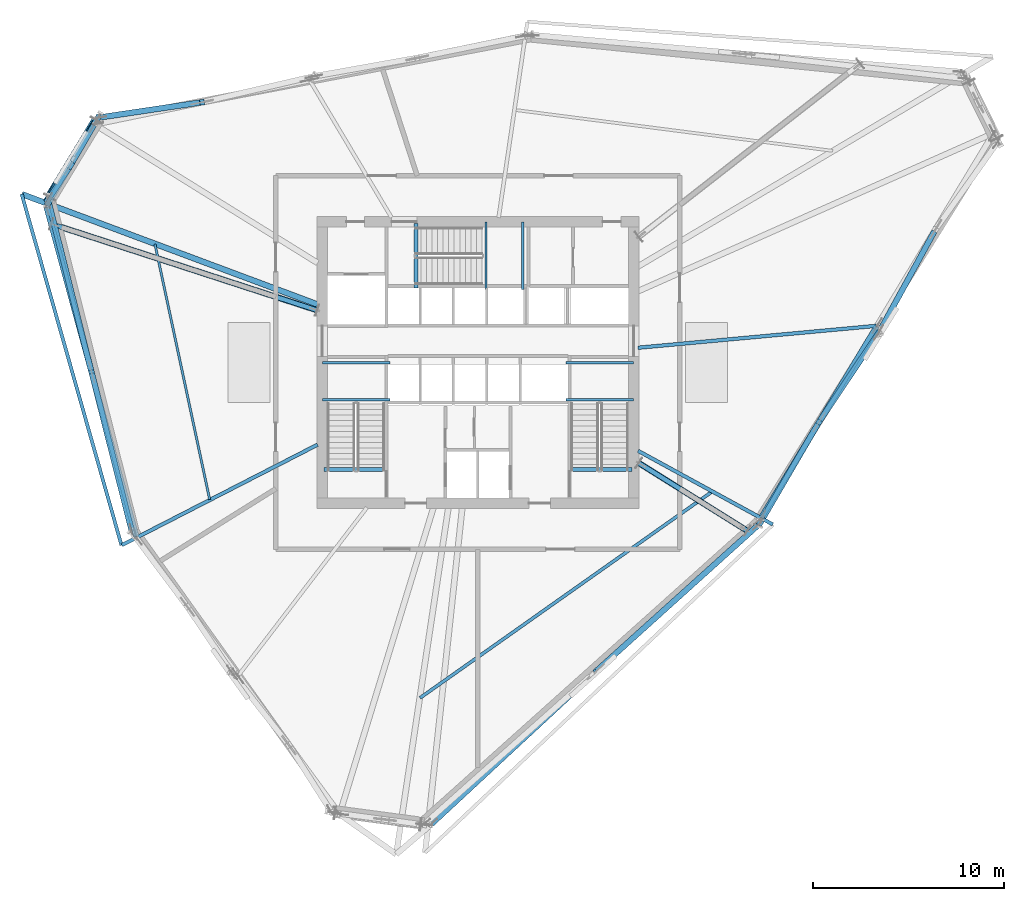
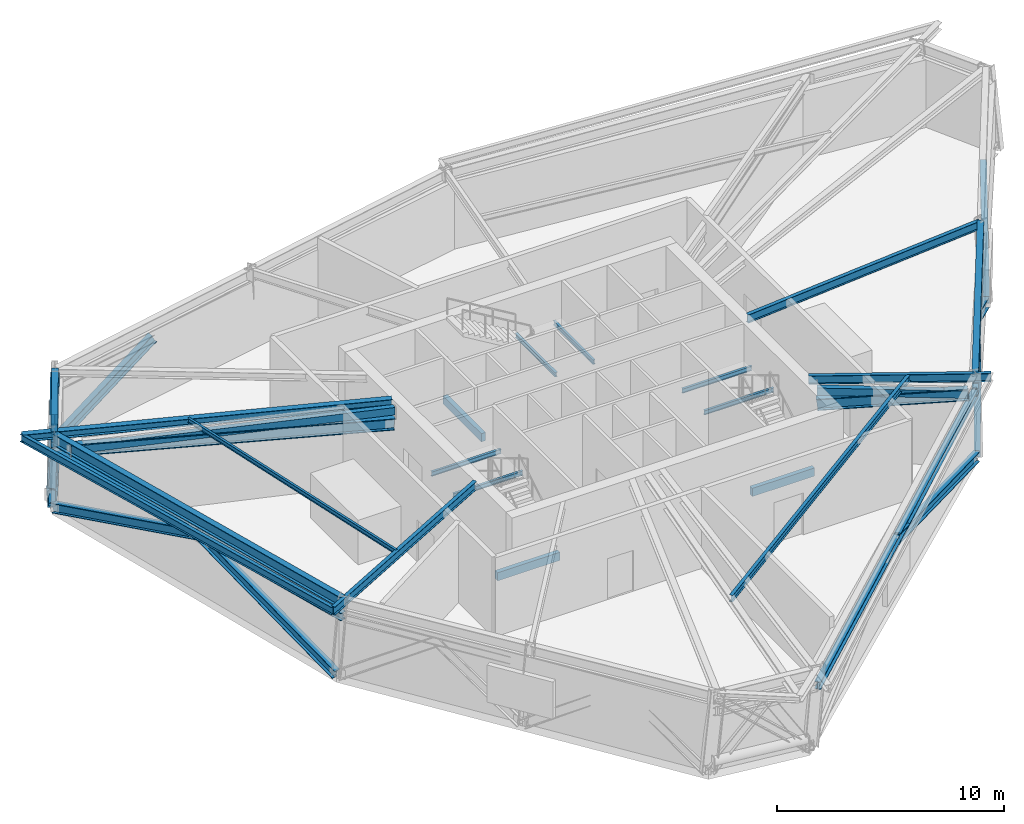
# One storey, part 2 of 14: 19 beams, 19 members.
"""IFC4 building model written with IfcOpenShell, lengths in metres."""

from ifc_helpers import new_model, si_unit, direction, frame, origin, origin_2d, place, context, subcontext, project, spatial, rectangle, hollow_rectangle, hollow_circle, i_section, extrude, source, transform, mapped, material, material_profile, profile_set, type_object, element, save


model = new_model("IFC4")

# Units and contexts
model_context = context("Model", 3, precision=1e-05, world=origin(), true_north=direction((0.0, 1.0)))
body_context = subcontext(model_context, "Body", "Model", "MODEL_VIEW")
ifc_project = project(units=[si_unit("LENGTHUNIT", "METRE"), si_unit("AREAUNIT", "SQUARE_METRE"), si_unit("VOLUMEUNIT", "CUBIC_METRE"), si_unit("PLANEANGLEUNIT", "RADIAN"), si_unit("MASSUNIT", "GRAM", prefix="KILO")], contexts=[model_context])

# Site, building, storey
site_placement = place(None, origin())
site = spatial("IfcSite", under=ifc_project, at=site_placement, CompositionType="ELEMENT")
building_placement = place(site_placement, origin())
building = spatial("IfcBuilding", under=site, at=building_placement, Name="Olszyna Solenne Hotel", CompositionType="ELEMENT")
storey_placement = place(building_placement, frame((0.0, 0.0, 142.10009765625)))
storey = spatial("IfcBuildingStorey", under=building, at=storey_placement, Name="L37", CompositionType="ELEMENT", Elevation=142.10009765625)

# Beams
ifc_material_1 = material(Name="Steel S355J2", Category="steel")
ifc_material_profile_1 = material_profile(ifc_material_1, i_section(OverallWidth=0.300048828125, OverallDepth=0.60009765625, WebThickness=0.015380859375, FlangeThickness=0.030029296875, at=origin_2d()), Name="HEB 600", Category="load-bearing")
ifc_profile_set_1 = profile_set([ifc_material_profile_1], Name="Steel S355J2")
beam_type_1 = type_object("IfcBeamType", Name="BM-S2", PredefinedType="BEAM", material=ifc_profile_set_1)
shared_shape_1 = source(origin(), body_context, "Body", "SweptSolid", [
    extrude(i_section(OverallWidth=0.300048828125, OverallDepth=0.60009765625, WebThickness=0.015380859375, FlangeThickness=0.030029296875, at=origin_2d()), origin(), (0.0, 0.0, 1.0), 4.865478515625),
])
beam_1_placement = place(storey_placement, frame((17.857421875, 39.03759765625, 3.949951171875), z_axis=(-0.506006647469, -0.86252957788, 0.0), x_axis=(0.86252957788, -0.506006647469, 0.0)))
element("IfcBeam", 1, at=beam_1_placement, inside=storey, type_object=beam_type_1, Name="Perimeter spandrel beam BM-S2 B-L37-1097", PredefinedType="BEAM", context=body_context, shape_type="MappedRepresentation", body=[
    mapped(shared_shape_1, transform((0.0, 0.0, 0.0), x_axis=(1.0, 0.0, 0.0), y_axis=(0.0, 1.0, 0.0), z_axis=(0.0, 0.0, 1.0), scale=1.0)),
])
shared_shape_2 = source(origin(), body_context, "Body", "SweptSolid", [
    extrude(i_section(OverallWidth=0.300048828125, OverallDepth=0.60009765625, WebThickness=0.015380859375, FlangeThickness=0.030029296875, at=origin_2d()), origin(), (0.0, 0.0, 1.0), 17.88330078125),
])
beam_2_placement = place(storey_placement, frame((15.381103515625, 34.7314453125, 3.949951171875), z_axis=(0.262703833557, -0.964876518439, 0.0), x_axis=(0.964876518439, 0.262703833557, 0.0)))
element("IfcBeam", 2, at=beam_2_placement, inside=storey, type_object=beam_type_1, Name="Perimeter spandrel beam BM-S2 B-L37-1098", PredefinedType="BEAM", context=body_context, shape_type="MappedRepresentation", body=[
    mapped(shared_shape_2, transform((0.0, 0.0, 0.0), x_axis=(1.0, 0.0, 0.0), y_axis=(0.0, 1.0, 0.0), z_axis=(0.0, 0.0, 1.0), scale=1.0)),
])
shared_shape_3 = source(origin(), body_context, "Body", "SweptSolid", [
    extrude(i_section(OverallWidth=0.300048828125, OverallDepth=0.60009765625, WebThickness=0.015380859375, FlangeThickness=0.030029296875, at=origin_2d()), origin(), (0.0, 0.0, 1.0), 11.695068359375),
])
beam_3_placement = place(storey_placement, frame((52.86962890625, 18.466064453125, 3.949951171875), z_axis=(0.517357124465, 0.855769598528, 0.0), x_axis=(-0.855769598528, 0.517357124465, 0.0)))
element("IfcBeam", 3, at=beam_3_placement, inside=storey, type_object=beam_type_1, Name="Perimeter spandrel beam BM-S2 B-L37-1103", PredefinedType="BEAM", context=body_context, shape_type="MappedRepresentation", body=[
    mapped(shared_shape_3, transform((0.0, 0.0, 0.0), x_axis=(1.0, 0.0, 0.0), y_axis=(0.0, 1.0, 0.0), z_axis=(0.0, 0.0, 1.0), scale=1.0)),
])
ifc_material_profile_2 = material_profile(ifc_material_1, i_section(OverallWidth=0.300048828125, OverallDepth=0.389892578125, WebThickness=0.010986328125, FlangeThickness=0.01904296875, at=origin_2d()), Name="HEA 400", Category="load-bearing")
ifc_profile_set_2 = profile_set([ifc_material_profile_2], Name="Steel S355J2")
beam_type_2 = type_object("IfcBeamType", Name="BM-G2", PredefinedType="BEAM", material=ifc_profile_set_2)
shared_shape_4 = source(origin(), body_context, "Body", "SweptSolid", [
    extrude(i_section(OverallWidth=0.300048828125, OverallDepth=0.389892578125, WebThickness=0.010986328125, FlangeThickness=0.01904296875, at=origin_2d()), origin(), (0.0, 0.0, 1.0), 16.557861328125),
])
beam_4_placement = place(storey_placement, frame((14.083740234375, 35.4287109375, 4.054931640625), z_axis=(0.936901151266, -0.349594383188, 0.0), x_axis=(0.349594383188, 0.936901151266, 0.0)))
element("IfcBeam", 4, at=beam_4_placement, inside=storey, type_object=beam_type_2, Name="Radial floor girder BM-G2 B-L37-1110", PredefinedType="BEAM", context=body_context, shape_type="MappedRepresentation", body=[
    mapped(shared_shape_4, transform((0.0, 0.0, 0.0), x_axis=(1.0, 0.0, 0.0), y_axis=(0.0, 1.0, 0.0), z_axis=(0.0, 0.0, 1.0), scale=1.0)),
])
ifc_material_profile_3 = material_profile(ifc_material_1, i_section(OverallWidth=0.18994140625, OverallDepth=0.449951171875, WebThickness=0.009521484375, FlangeThickness=0.0146484375, at=origin_2d()), Name="IPE 450", Category="load-bearing")
ifc_profile_set_3 = profile_set([ifc_material_profile_3], Name="Steel S355J2")
beam_type_3 = type_object("IfcBeamType", Name="BM-F4", PredefinedType="BEAM", material=ifc_profile_set_3)
shared_shape_5 = source(origin(), body_context, "Body", "SweptSolid", [
    extrude(i_section(OverallWidth=0.18994140625, OverallDepth=0.449951171875, WebThickness=0.009521484375, FlangeThickness=0.0146484375, at=origin_2d()), origin(), (0.0, 0.0, 1.0), 11.546142578125),
])
beam_5_placement = place(storey_placement, frame((19.322509765625, 17.017333984375, 4.02490234375), z_axis=(0.889649212055, 0.456644587715, 0.0), x_axis=(-0.456644587715, 0.889649212055, 0.0)))
element("IfcBeam", 5, at=beam_5_placement, inside=storey, type_object=beam_type_3, Name="Radial floor girder BM-F4 B-L37-1111", PredefinedType="BEAM", context=body_context, shape_type="MappedRepresentation", body=[
    mapped(shared_shape_5, transform((0.0, 0.0, 0.0), x_axis=(1.0, 0.0, 0.0), y_axis=(0.0, 1.0, 0.0), z_axis=(0.0, 0.0, 1.0), scale=1.0)),
])
shared_shape_6 = source(origin(), body_context, "Body", "SweptSolid", [
    extrude(i_section(OverallWidth=0.18994140625, OverallDepth=0.449951171875, WebThickness=0.009521484375, FlangeThickness=0.0146484375, at=origin_2d()), origin(), (0.0, 0.0, 1.0), 8.051513671875),
])
beam_6_placement = place(storey_placement, frame((53.47119140625, 18.101318359375, 4.02490234375), z_axis=(-0.877479221442, 0.479614653589, 0.0), x_axis=(-0.479614653589, -0.877479221442, 0.0)))
element("IfcBeam", 6, at=beam_6_placement, inside=storey, type_object=beam_type_3, Name="Radial floor girder BM-F4 B-L37-1115", PredefinedType="BEAM", context=body_context, shape_type="MappedRepresentation", body=[
    mapped(shared_shape_6, transform((0.0, 0.0, 0.0), x_axis=(1.0, 0.0, 0.0), y_axis=(0.0, 1.0, 0.0), z_axis=(0.0, 0.0, 1.0), scale=1.0)),
])
shared_shape_7 = source(origin(), body_context, "Body", "SweptSolid", [
    extrude(i_section(OverallWidth=0.18994140625, OverallDepth=0.449951171875, WebThickness=0.009521484375, FlangeThickness=0.0146484375, at=origin_2d()), origin(), (0.0, 0.0, 1.0), 12.5439453125),
])
beam_7_placement = place(storey_placement, frame((58.891357421875, 28.52001953125, 4.02490234375), z_axis=(-0.995803705878, -0.091514913319, 0.0), x_axis=(0.091514913319, -0.995803705878, 0.0)))
element("IfcBeam", 7, at=beam_7_placement, inside=storey, type_object=beam_type_3, Name="Radial floor girder BM-F4 B-L37-1116", PredefinedType="BEAM", context=body_context, shape_type="MappedRepresentation", body=[
    mapped(shared_shape_7, transform((0.0, 0.0, 0.0), x_axis=(1.0, 0.0, 0.0), y_axis=(0.0, 1.0, 0.0), z_axis=(0.0, 0.0, 1.0), scale=1.0)),
])
ifc_material_profile_4 = material_profile(ifc_material_1, i_section(OverallWidth=0.1201171875, OverallDepth=0.239990234375, WebThickness=0.006103515625, FlangeThickness=0.009765625, at=origin_2d()), Name="IPE 240", Category="load-bearing")
ifc_profile_set_4 = profile_set([ifc_material_profile_4], Name="Steel S355J2")
beam_type_4 = type_object("IfcBeamType", Name="JS-03", PredefinedType="JOIST", material=ifc_profile_set_4)
shared_shape_8 = source(origin(), body_context, "Body", "SweptSolid", [
    extrude(i_section(OverallWidth=0.1201171875, OverallDepth=0.239990234375, WebThickness=0.006103515625, FlangeThickness=0.009765625, at=origin_2d()), origin(), (0.0, 0.0, 1.0), 13.707763671875),
])
beam_8_placement = place(storey_placement, frame((21.05859375, 32.80810546875, 4.1298828125), z_axis=(0.209537602892, -0.977800589576, 0.0), x_axis=(0.977800589576, 0.209537602892, 0.0)))
element("IfcBeam", 8, at=beam_8_placement, inside=storey, type_object=beam_type_4, Name="Secondary composite floor joist JS-03 B-L37-1121", PredefinedType="JOIST", context=body_context, shape_type="MappedRepresentation", body=[
    mapped(shared_shape_8, transform((0.0, 0.0, 0.0), x_axis=(1.0, 0.0, 0.0), y_axis=(0.0, 1.0, 0.0), z_axis=(0.0, 0.0, 1.0), scale=1.0)),
])
ifc_material_profile_5 = material_profile(ifc_material_1, i_section(OverallWidth=0.169921875, OverallDepth=0.360107421875, WebThickness=0.008056640625, FlangeThickness=0.0126953125, at=origin_2d()), Name="IPE 360", Category="load-bearing")
ifc_profile_set_5 = profile_set([ifc_material_profile_5], Name="Steel S355J2")
beam_type_5 = type_object("IfcBeamType", Name="JS-01", PredefinedType="JOIST", material=ifc_profile_set_5)
shared_shape_9 = source(origin(), body_context, "Body", "SweptSolid", [
    extrude(i_section(OverallWidth=0.169921875, OverallDepth=0.360107421875, WebThickness=0.008056640625, FlangeThickness=0.0126953125, at=origin_2d()), origin(), (0.0, 0.0, 1.0), 18.755859375),
])
beam_9_placement = place(storey_placement, frame((34.9658203125, 9.0009765625, 4.06982421875), z_axis=(0.816775903427, 0.576955044679, 0.0), x_axis=(-0.576955044679, 0.816775903427, 0.0)))
element("IfcBeam", 9, at=beam_9_placement, inside=storey, type_object=beam_type_5, Name="Secondary composite floor joist JS-01 B-L37-1122", PredefinedType="JOIST", context=body_context, shape_type="MappedRepresentation", body=[
    mapped(shared_shape_9, transform((0.0, 0.0, 0.0), x_axis=(1.0, 0.0, 0.0), y_axis=(0.0, 1.0, 0.0), z_axis=(0.0, 0.0, 1.0), scale=1.0)),
])
ifc_material_profile_6 = material_profile(ifc_material_1, i_section(OverallWidth=0.179931640625, OverallDepth=0.39990234375, WebThickness=0.008544921875, FlangeThickness=0.013427734375, at=origin_2d()), Name="IPE 400", Category="load-bearing")
ifc_profile_set_6 = profile_set([ifc_material_profile_6], Name="Steel S355J2")
beam_type_6 = type_object("IfcBeamType", Name="BM-F5", PredefinedType="BEAM", material=ifc_profile_set_6)
shared_shape_10 = source(origin(), body_context, "Body", "SweptSolid", [
    extrude(i_section(OverallWidth=0.179931640625, OverallDepth=0.39990234375, WebThickness=0.008544921875, FlangeThickness=0.013427734375, at=origin_2d()), origin(), (0.0, 0.0, 1.0), 19.15771484375),
])
beam_10_placement = place(storey_placement, frame((14.065185546875, 35.435546875, 4.0498046875), z_axis=(0.273493896246, -0.961873738448, 0.0), x_axis=(0.961873738448, 0.273493896246, 0.0)))
element("IfcBeam", 10, at=beam_10_placement, inside=storey, type_object=beam_type_6, Name="Loggia outer edge beam BM-F5 B-L37-1124", PredefinedType="BEAM", context=body_context, shape_type="MappedRepresentation", body=[
    mapped(shared_shape_10, transform((0.0, 0.0, 0.0), x_axis=(1.0, 0.0, 0.0), y_axis=(0.0, 1.0, 0.0), z_axis=(0.0, 0.0, 1.0), scale=1.0)),
])

# Members
ifc_material_2 = material(Name="Steel S460M", Category="steel")
ifc_material_profile_7 = material_profile(ifc_material_2, i_section(OverallWidth=0.406005859375, OverallDepth=0.416015625, WebThickness=0.026611328125, FlangeThickness=0.04150390625, at=origin_2d()), Name="HD 400x382", Category="load-bearing")
ifc_profile_set_7 = profile_set([ifc_material_profile_7], Name="Steel S460M")
member_type_1 = type_object("IfcMemberType", Name="BR-T2", PredefinedType="BRACE", material=ifc_profile_set_7)
shared_shape_11 = source(origin(), body_context, "Body", "SweptSolid", [
    extrude(i_section(OverallWidth=0.406005859375, OverallDepth=0.416015625, WebThickness=0.026611328125, FlangeThickness=0.04150390625, at=origin_2d()), origin(), (0.0, 0.0, 1.0), 6.072021484375),
])
member_1_placement = place(storey_placement, frame((15.453125, 35.13330078125, 0.010009765625), z_axis=(0.400996773504, 0.651574522674, 0.643934957151), x_axis=(-0.851642076347, 0.524123815329, 0.0)))
element("IfcMember", 11, at=member_1_placement, inside=storey, type_object=member_type_1, Name="Perimeter braced-tube diagonal BR-T2 BR-L37-2", PredefinedType="BRACE", context=body_context, shape_type="MappedRepresentation", body=[
    mapped(shared_shape_11, transform((0.0, 0.0, 0.0), x_axis=(1.0, 0.0, 0.0), y_axis=(0.0, 1.0, 0.0), z_axis=(0.0, 0.0, 1.0), scale=1.0)),
])
ifc_material_profile_8 = material_profile(ifc_material_1, i_section(OverallWidth=0.300048828125, OverallDepth=0.5, WebThickness=0.014404296875, FlangeThickness=0.028076171875, at=origin_2d()), Name="HEB 500", Category="load-bearing")
ifc_profile_set_8 = profile_set([ifc_material_profile_8], Name="Steel S355J2")
member_type_2 = type_object("IfcMemberType", Name="BR-BL1", PredefinedType="BRACE", material=ifc_profile_set_8)
shared_shape_12 = source(origin(), body_context, "Body", "SweptSolid", [
    extrude(i_section(OverallWidth=0.300048828125, OverallDepth=0.5, WebThickness=0.014404296875, FlangeThickness=0.028076171875, at=origin_2d()), origin(), (0.0, 0.0, 1.0), 6.335693359375),
])
member_2_placement = place(storey_placement, frame((18.10986328125, 39.4462890625, 0.02001953125), z_axis=(0.855490380741, 0.127392964224, 0.501903617367), x_axis=(-0.147288119559, 0.98909363047, 0.0)))
element("IfcMember", 12, at=member_2_placement, inside=storey, type_object=member_type_2, Name="Belt truss diagonal BR-BL1 BT-L37-04-2", PredefinedType="BRACE", context=body_context, shape_type="MappedRepresentation", body=[
    mapped(shared_shape_12, transform((0.0, 0.0, 0.0), x_axis=(1.0, 0.0, 0.0), y_axis=(0.0, 1.0, 0.0), z_axis=(0.0, 0.0, 1.0), scale=1.0)),
])
ifc_material_profile_9 = material_profile(ifc_material_1, i_section(OverallWidth=0.300048828125, OverallDepth=0.39990234375, WebThickness=0.013427734375, FlangeThickness=0.02392578125, at=origin_2d()), Name="HEB 400", Category="load-bearing")
ifc_profile_set_9 = profile_set([ifc_material_profile_9], Name="Steel S355J2")
member_type_3 = type_object("IfcMemberType", Name="CH-TR2", PredefinedType="CHORD", material=ifc_profile_set_9)
shared_shape_13 = source(origin(), body_context, "Body", "SweptSolid", [
    extrude(i_section(OverallWidth=0.300048828125, OverallDepth=0.39990234375, WebThickness=0.013427734375, FlangeThickness=0.02392578125, at=origin_2d()), origin(), (0.0, 0.0, 1.0), 4.905517578125),
])
member_3_placement = place(storey_placement, frame((17.86767578125, 39.054931640625, 3.199951171875), z_axis=(-0.505995358171, -0.862536200695, 0.0), x_axis=(0.862536200695, -0.505995358171, 0.0)))
element("IfcMember", 13, at=member_3_placement, inside=storey, type_object=member_type_3, Name="Belt truss upper chord CH-TR2 CH-L37-05", PredefinedType="CHORD", context=body_context, shape_type="MappedRepresentation", body=[
    mapped(shared_shape_13, transform((0.0, 0.0, 0.0), x_axis=(1.0, 0.0, 0.0), y_axis=(0.0, 1.0, 0.0), z_axis=(0.0, 0.0, 1.0), scale=1.0)),
])
shared_shape_14 = source(origin(), body_context, "Body", "SweptSolid", [
    extrude(i_section(OverallWidth=0.300048828125, OverallDepth=0.5, WebThickness=0.014404296875, FlangeThickness=0.028076171875, at=origin_2d()), origin(), (0.0, 0.0, 1.0), 4.267822265625),
])
member_4_placement = place(storey_placement, frame((18.0498046875, 39.40478515625, 0.02001953125), z_axis=(-0.333441136929, -0.577644295884, 0.745079912249), x_axis=(0.866065621889, -0.499930333729, 0.0)))
element("IfcMember", 14, at=member_4_placement, inside=storey, type_object=member_type_2, Name="Belt truss diagonal BR-BL1 BT-L37-05-1", PredefinedType="BRACE", context=body_context, shape_type="MappedRepresentation", body=[
    mapped(shared_shape_14, transform((0.0, 0.0, 0.0), x_axis=(1.0, 0.0, 0.0), y_axis=(0.0, 1.0, 0.0), z_axis=(0.0, 0.0, 1.0), scale=1.0)),
])
shared_shape_15 = source(origin(), body_context, "Body", "SweptSolid", [
    extrude(i_section(OverallWidth=0.300048828125, OverallDepth=0.5, WebThickness=0.014404296875, FlangeThickness=0.028076171875, at=origin_2d()), origin(), (0.0, 0.0, 1.0), 3.818603515625),
])
member_5_placement = place(storey_placement, frame((15.473876953125, 35.16748046875, 0.02001953125), z_axis=(0.301907746054, 0.4640504915, 0.832771789995), x_axis=(-0.838216625676, 0.545337407887, 0.0)))
element("IfcMember", 15, at=member_5_placement, inside=storey, type_object=member_type_2, Name="Belt truss diagonal BR-BL1 BT-L37-05-2", PredefinedType="BRACE", context=body_context, shape_type="MappedRepresentation", body=[
    mapped(shared_shape_15, transform((0.0, 0.0, 0.0), x_axis=(1.0, 0.0, 0.0), y_axis=(0.0, 1.0, 0.0), z_axis=(0.0, 0.0, 1.0), scale=1.0)),
])
shared_shape_16 = source(origin(), body_context, "Body", "SweptSolid", [
    extrude(i_section(OverallWidth=0.300048828125, OverallDepth=0.39990234375, WebThickness=0.013427734375, FlangeThickness=0.02392578125, at=origin_2d()), origin(), (0.0, 0.0, 1.0), 17.92333984375),
])
member_6_placement = place(storey_placement, frame((15.375732421875, 34.750732421875, 3.199951171875), z_axis=(0.262716284689, -0.964873128323, 0.0), x_axis=(0.964873128323, 0.262716284689, 0.0)))
element("IfcMember", 16, at=member_6_placement, inside=storey, type_object=member_type_3, Name="Belt truss upper chord CH-TR2 CH-L37-06", PredefinedType="CHORD", context=body_context, shape_type="MappedRepresentation", body=[
    mapped(shared_shape_16, transform((0.0, 0.0, 0.0), x_axis=(1.0, 0.0, 0.0), y_axis=(0.0, 1.0, 0.0), z_axis=(0.0, 0.0, 1.0), scale=1.0)),
])
shared_shape_17 = source(origin(), body_context, "Body", "SweptSolid", [
    extrude(i_section(OverallWidth=0.300048828125, OverallDepth=0.5, WebThickness=0.014404296875, FlangeThickness=0.028076171875, at=origin_2d()), origin(), (0.0, 0.0, 1.0), 9.802001953125),
])
member_7_placement = place(storey_placement, frame((15.462890625, 35.094482421875, 0.02001953125), z_axis=(0.231287098553, -0.917203037282, 0.324414652019), x_axis=(0.969646389781, 0.244511510536, 0.0)))
element("IfcMember", 17, at=member_7_placement, inside=storey, type_object=member_type_2, Name="Belt truss diagonal BR-BL1 BT-L37-06-1", PredefinedType="BRACE", context=body_context, shape_type="MappedRepresentation", body=[
    mapped(shared_shape_17, transform((0.0, 0.0, 0.0), x_axis=(1.0, 0.0, 0.0), y_axis=(0.0, 1.0, 0.0), z_axis=(0.0, 0.0, 1.0), scale=1.0)),
])
shared_shape_18 = source(origin(), body_context, "Body", "SweptSolid", [
    extrude(i_section(OverallWidth=0.300048828125, OverallDepth=0.5, WebThickness=0.014404296875, FlangeThickness=0.028076171875, at=origin_2d()), origin(), (0.0, 0.0, 1.0), 9.2353515625),
])
member_8_placement = place(storey_placement, frame((19.858154296875, 17.69873046875, 0.02001953125), z_axis=(-0.230440483365, 0.910130200906, 0.344325719379), x_axis=(-0.969409335798, -0.245449668298, 0.0)))
element("IfcMember", 18, at=member_8_placement, inside=storey, type_object=member_type_2, Name="Belt truss diagonal BR-BL1 BT-L37-06-2", PredefinedType="BRACE", context=body_context, shape_type="MappedRepresentation", body=[
    mapped(shared_shape_18, transform((0.0, 0.0, 0.0), x_axis=(1.0, 0.0, 0.0), y_axis=(0.0, 1.0, 0.0), z_axis=(0.0, 0.0, 1.0), scale=1.0)),
])
shared_shape_19 = source(origin(), body_context, "Body", "SweptSolid", [
    extrude(i_section(OverallWidth=0.300048828125, OverallDepth=0.39990234375, WebThickness=0.013427734375, FlangeThickness=0.02392578125, at=origin_2d()), origin(), (0.0, 0.0, 1.0), 23.5498046875),
])
member_9_placement = place(storey_placement, frame((35.544921875, 2.37060546875, 3.199951171875), z_axis=(0.733098035765, 0.680122981495, 0.0), x_axis=(-0.680122981495, 0.733098035765, 0.0)))
element("IfcMember", 19, at=member_9_placement, inside=storey, type_object=member_type_3, Name="Belt truss upper chord CH-TR2 CH-L37-10", PredefinedType="CHORD", context=body_context, shape_type="MappedRepresentation", body=[
    mapped(shared_shape_19, transform((0.0, 0.0, 0.0), x_axis=(1.0, 0.0, 0.0), y_axis=(0.0, 1.0, 0.0), z_axis=(0.0, 0.0, 1.0), scale=1.0)),
])
shared_shape_20 = source(origin(), body_context, "Body", "SweptSolid", [
    extrude(i_section(OverallWidth=0.300048828125, OverallDepth=0.5, WebThickness=0.014404296875, FlangeThickness=0.028076171875, at=origin_2d()), origin(), (0.0, 0.0, 1.0), 11.971435546875),
])
member_10_placement = place(storey_placement, frame((52.748779296875, 18.107177734375, 0.02001953125), z_axis=(-0.716023558723, -0.64556325125, 0.265628221372), x_axis=(0.669618950024, -0.742704828158, 0.0)))
element("IfcMember", 20, at=member_10_placement, inside=storey, type_object=member_type_2, Name="Belt truss diagonal BR-BL1 BT-L37-10-2", PredefinedType="BRACE", context=body_context, shape_type="MappedRepresentation", body=[
    mapped(shared_shape_20, transform((0.0, 0.0, 0.0), x_axis=(1.0, 0.0, 0.0), y_axis=(0.0, 1.0, 0.0), z_axis=(0.0, 0.0, 1.0), scale=1.0)),
])
shared_shape_21 = source(origin(), body_context, "Body", "SweptSolid", [
    extrude(i_section(OverallWidth=0.300048828125, OverallDepth=0.39990234375, WebThickness=0.013427734375, FlangeThickness=0.02392578125, at=origin_2d()), origin(), (0.0, 0.0, 1.0), 11.73486328125),
])
member_11_placement = place(storey_placement, frame((52.859375, 18.448974609375, 3.199951171875), z_axis=(0.517347415041, 0.855775468304, 0.0), x_axis=(-0.855775468304, 0.517347415041, 0.0)))
element("IfcMember", 21, at=member_11_placement, inside=storey, type_object=member_type_3, Name="Belt truss upper chord CH-TR2 CH-L37-11", PredefinedType="CHORD", context=body_context, shape_type="MappedRepresentation", body=[
    mapped(shared_shape_21, transform((0.0, 0.0, 0.0), x_axis=(1.0, 0.0, 0.0), y_axis=(0.0, 1.0, 0.0), z_axis=(0.0, 0.0, 1.0), scale=1.0)),
])
shared_shape_22 = source(origin(), body_context, "Body", "SweptSolid", [
    extrude(i_section(OverallWidth=0.300048828125, OverallDepth=0.5, WebThickness=0.014404296875, FlangeThickness=0.028076171875, at=origin_2d()), origin(), (0.0, 0.0, 1.0), 6.914306640625),
])
member_12_placement = place(storey_placement, frame((52.7998046875, 18.167724609375, 0.02001953125), z_axis=(0.447620363483, 0.766890169164, 0.459908119774), x_axis=(-0.863647627771, 0.504095997848, 0.0)))
element("IfcMember", 22, at=member_12_placement, inside=storey, type_object=member_type_2, Name="Belt truss diagonal BR-BL1 BT-L37-11-1", PredefinedType="BRACE", context=body_context, shape_type="MappedRepresentation", body=[
    mapped(shared_shape_22, transform((0.0, 0.0, 0.0), x_axis=(1.0, 0.0, 0.0), y_axis=(0.0, 1.0, 0.0), z_axis=(0.0, 0.0, 1.0), scale=1.0)),
])
shared_shape_23 = source(origin(), body_context, "Body", "SweptSolid", [
    extrude(i_section(OverallWidth=0.300048828125, OverallDepth=0.5, WebThickness=0.014404296875, FlangeThickness=0.028076171875, at=origin_2d()), origin(), (0.0, 0.0, 1.0), 6.454345703125),
])
member_13_placement = place(storey_placement, frame((59.0166015625, 28.139404296875, 0.02001953125), z_axis=(-0.483675185259, -0.723413460395, 0.492677663877), x_axis=(0.83130726595, -0.555813124691, 0.0)))
element("IfcMember", 23, at=member_13_placement, inside=storey, type_object=member_type_2, Name="Belt truss diagonal BR-BL1 BT-L37-11-2", PredefinedType="BRACE", context=body_context, shape_type="MappedRepresentation", body=[
    mapped(shared_shape_23, transform((0.0, 0.0, 0.0), x_axis=(1.0, 0.0, 0.0), y_axis=(0.0, 1.0, 0.0), z_axis=(0.0, 0.0, 1.0), scale=1.0)),
])
shared_shape_24 = source(origin(), body_context, "Body", "SweptSolid", [
    extrude(i_section(OverallWidth=0.300048828125, OverallDepth=0.5, WebThickness=0.014404296875, FlangeThickness=0.028076171875, at=origin_2d()), origin(), (0.0, 0.0, 1.0), 6.9052734375),
])
member_14_placement = place(storey_placement, frame((59.05908203125, 28.20703125, 0.02001953125), z_axis=(0.426948794313, 0.77823756711, 0.460500831892), x_axis=(-0.876730059982, 0.480982745973, 0.0)))
element("IfcMember", 24, at=member_14_placement, inside=storey, type_object=member_type_2, Name="Belt truss diagonal BR-BL1 BT-L37-12-1", PredefinedType="BRACE", context=body_context, shape_type="MappedRepresentation", body=[
    mapped(shared_shape_24, transform((0.0, 0.0, 0.0), x_axis=(1.0, 0.0, 0.0), y_axis=(0.0, 1.0, 0.0), z_axis=(0.0, 0.0, 1.0), scale=1.0)),
])
ifc_material_profile_10 = material_profile(ifc_material_2, i_section(OverallWidth=0.304931640625, OverallDepth=0.6201171875, WebThickness=0.02099609375, FlangeThickness=0.0400390625, at=origin_2d()), Name="HEM 600", Category="load-bearing")
ifc_profile_set_10 = profile_set([ifc_material_profile_10], Name="Steel S460M")
member_type_4 = type_object("IfcMemberType", Name="BR-OU1", PredefinedType="BRACE", material=ifc_profile_set_10)
shared_shape_25 = source(origin(), body_context, "Body", "SweptSolid", [
    extrude(i_section(OverallWidth=0.304931640625, OverallDepth=0.6201171875, WebThickness=0.02099609375, FlangeThickness=0.0400390625, at=origin_2d()), origin(), (0.0, 0.0, 1.0), 6.724365234375),
])
member_15_placement = place(storey_placement, frame((46.449951171875, 21.31982421875, 3.099853515625), z_axis=(0.843446765005, -0.527031692171, 0.104092026829), x_axis=(0.529910340077, 0.848053672523, 0.0)))
element("IfcMember", 25, at=member_15_placement, inside=storey, type_object=member_type_4, Name="Outrigger truss brace BR-OU1 OU-L37-01", PredefinedType="BRACE", context=body_context, shape_type="MappedRepresentation", body=[
    mapped(shared_shape_25, transform((0.0, 0.0, 0.0), x_axis=(1.0, 0.0, 0.0), y_axis=(0.0, 1.0, 0.0), z_axis=(0.0, 0.0, 1.0), scale=1.0)),
])
ifc_material_profile_11 = material_profile(ifc_material_1, hollow_rectangle(XDim=0.25, YDim=0.39990234375, WallThickness=0.02001953125, at=origin_2d()), Name="RHS 400x250x20", Category="load-bearing")
ifc_profile_set_11 = profile_set([ifc_material_profile_11], Name="Steel S355J2")
member_type_5 = type_object("IfcMemberType", Name="CH-BL1", PredefinedType="CHORD", material=ifc_profile_set_11)
shared_shape_26 = source(origin(), body_context, "Body", "SweptSolid", [
    extrude(hollow_rectangle(XDim=0.25, YDim=0.39990234375, WallThickness=0.02001953125, at=origin_2d()), origin(), (0.0, 0.0, 1.0), 6.687744140625),
])
member_16_placement = place(storey_placement, frame((46.449951171875, 21.31982421875, 3.7998046875), z_axis=(0.848053672523, -0.529910340077, 0.0), x_axis=(0.529910340077, 0.848053672523, 0.0)))
element("IfcMember", 26, at=member_16_placement, inside=storey, type_object=member_type_5, Name="Outrigger collector chord CH-BL1 OC-L37-01", PredefinedType="CHORD", context=body_context, shape_type="MappedRepresentation", body=[
    mapped(shared_shape_26, transform((0.0, 0.0, 0.0), x_axis=(1.0, 0.0, 0.0), y_axis=(0.0, 1.0, 0.0), z_axis=(0.0, 0.0, 1.0), scale=1.0)),
])
shared_shape_27 = source(origin(), body_context, "Body", "SweptSolid", [
    extrude(i_section(OverallWidth=0.304931640625, OverallDepth=0.6201171875, WebThickness=0.02099609375, FlangeThickness=0.0400390625, at=origin_2d()), origin(), (0.0, 0.0, 1.0), 14.6494140625),
])
member_17_placement = place(storey_placement, frame((29.550048828125, 29.345703125, 3.099853515625), z_axis=(-0.949975532643, 0.308647887171, 0.047780426162), x_axis=(-0.309000808366, -0.951061775296, 0.0)))
element("IfcMember", 27, at=member_17_placement, inside=storey, type_object=member_type_4, Name="Outrigger truss brace BR-OU1 OU-L37-03", PredefinedType="BRACE", context=body_context, shape_type="MappedRepresentation", body=[
    mapped(shared_shape_27, transform((0.0, 0.0, 0.0), x_axis=(1.0, 0.0, 0.0), y_axis=(0.0, 1.0, 0.0), z_axis=(0.0, 0.0, 1.0), scale=1.0)),
])
shared_shape_28 = source(origin(), body_context, "Body", "SweptSolid", [
    extrude(hollow_rectangle(XDim=0.25, YDim=0.39990234375, WallThickness=0.02001953125, at=origin_2d()), origin(), (0.0, 0.0, 1.0), 14.632568359375),
])
member_18_placement = place(storey_placement, frame((29.550048828125, 29.345703125, 3.7998046875), z_axis=(-0.951061775296, 0.309000808366, 0.0), x_axis=(-0.309000808366, -0.951061775296, 0.0)))
element("IfcMember", 28, at=member_18_placement, inside=storey, type_object=member_type_5, Name="Outrigger collector chord CH-BL1 OC-L37-03", PredefinedType="CHORD", context=body_context, shape_type="MappedRepresentation", body=[
    mapped(shared_shape_28, transform((0.0, 0.0, 0.0), x_axis=(1.0, 0.0, 0.0), y_axis=(0.0, 1.0, 0.0), z_axis=(0.0, 0.0, 1.0), scale=1.0)),
])
ifc_material_profile_12 = material_profile(ifc_material_1, hollow_circle(Radius=0.25390625, WallThickness=0.02001953125, at=origin_2d()), Name="CHS 508x20", Category="load-bearing")
ifc_profile_set_12 = profile_set([ifc_material_profile_12], Name="Steel S355J2")
member_type_6 = type_object("IfcMemberType", Name="BR-TB2", PredefinedType="BRACE", material=ifc_profile_set_12)
shared_shape_29 = source(origin(), body_context, "Body", "SweptSolid", [
    extrude(hollow_circle(Radius=0.25390625, WallThickness=0.02001953125, at=origin_2d()), origin(), (0.0, 0.0, 1.0), 4.6787109375),
])
member_19_placement = place(storey_placement, frame((17.97705078125, 39.28515625, 0.5498046875), z_axis=(-0.519451905316, -0.854499688744, 0.0), x_axis=(0.854499688744, -0.519451905316, 0.0)))
element("IfcMember", 29, at=member_19_placement, inside=storey, type_object=member_type_6, Name="Belt collar tie BR-TB2 CTB-L37-2", PredefinedType="BRACE", context=body_context, shape_type="MappedRepresentation", body=[
    mapped(shared_shape_29, transform((0.0, 0.0, 0.0), x_axis=(1.0, 0.0, 0.0), y_axis=(0.0, 1.0, 0.0), z_axis=(0.0, 0.0, 1.0), scale=1.0)),
])

# Beams
shared_shape_30 = source(origin(), body_context, "Body", "SweptSolid", [
    extrude(i_section(OverallWidth=0.1201171875, OverallDepth=0.239990234375, WebThickness=0.006103515625, FlangeThickness=0.009765625, at=origin_2d()), origin(), (0.0, 0.0, 1.0), 3.539794921875),
])
for number, where, z_axis, x_axis, name in (
    (30, (33.3798828125, 24.64990234375, 1.9248046875), (-1.0, 0.0, 0.0), (0.0, -1.0, 0.0), "Stair landing support beam JS-03 SLB-ST1-0079"),
    (31, (33.3798828125, 26.580078125, 1.9248046875), (-1.0, 0.0, 0.0), (0.0, -1.0, 0.0), "Stair landing support beam JS-03 SLB-ST1-0080"),
    (32, (46.159912109375, 24.64990234375, 1.9248046875), (-1.0, 0.0, 0.0), (0.0, -1.0, 0.0), "Stair landing support beam JS-03 SLB-ST2-0319"),
    (33, (46.159912109375, 26.580078125, 1.9248046875), (-1.0, 0.0, 0.0), (0.0, -1.0, 0.0), "Stair landing support beam JS-03 SLB-ST2-0320"),
):
    element("IfcBeam", number, at=place(storey_placement, frame(where, z_axis=z_axis, x_axis=x_axis)), inside=storey, type_object=beam_type_4, Name=name, PredefinedType="JOIST", context=body_context, shape_type="MappedRepresentation", body=[
        mapped(shared_shape_30, transform((0.0, 0.0, 0.0), x_axis=(1.0, 0.0, 0.0), y_axis=(0.0, 1.0, 0.0), z_axis=(0.0, 0.0, 1.0), scale=1.0)),
    ])
ifc_material_3 = material(Name="Concrete C50/60", Category="concrete")
ifc_material_profile_13 = material_profile(ifc_material_3, rectangle(XDim=0.219970703125, YDim=0.43994140625, at=origin_2d()), Name="RC 220x440", Category="load-bearing")
ifc_profile_set_13 = profile_set([ifc_material_profile_13], Name="Concrete C50/60")
beam_type_7 = type_object("IfcBeamType", Name="BM-ST1", PredefinedType="BEAM", material=ifc_profile_set_13)
shared_shape_31 = source(origin(), body_context, "Body", "SweptSolid", [
    extrude(rectangle(XDim=0.219970703125, YDim=0.43994140625, at=origin_2d()), origin(), (0.0, 0.0, 1.0), 3.18017578125),
])
for number, where, z_axis, x_axis, name in (
    (34, (33.10009765625, 20.97998046875, -0.205078125), (-1.0, 0.0, 0.0), (0.0, -1.0, 0.0), "Concrete stair trimmer beam BM-ST1 SHB-ST1-0199"),
    (35, (46.080078125, 20.97998046875, -0.205078125), (-1.0, 0.0, 0.0), (0.0, -1.0, 0.0), "Concrete stair trimmer beam BM-ST1 SHB-ST2-0439"),
):
    element("IfcBeam", number, at=place(storey_placement, frame(where, z_axis=z_axis, x_axis=x_axis)), inside=storey, type_object=beam_type_7, Name=name, PredefinedType="BEAM", context=body_context, shape_type="MappedRepresentation", body=[
        mapped(shared_shape_31, transform((0.0, 0.0, 0.0), x_axis=(1.0, 0.0, 0.0), y_axis=(0.0, 1.0, 0.0), z_axis=(0.0, 0.0, 1.0), scale=1.0)),
    ])
shared_shape_32 = source(origin(), body_context, "Body", "SweptSolid", [
    extrude(i_section(OverallWidth=0.1201171875, OverallDepth=0.239990234375, WebThickness=0.006103515625, FlangeThickness=0.009765625, at=origin_2d()), origin(), (0.0, 0.0, 1.0), 3.5400390625),
])
for number, where, z_axis, x_axis, name in (
    (36, (38.429931640625, 30.419921875, 1.9248046875), (0.0, 1.0, 0.0), (-1.0, 0.0, 0.0), "Stair landing support beam JS-03 SLB-ST3-0559"),
    (37, (40.360107421875, 30.419921875, 1.9248046875), (0.0, 1.0, 0.0), (-1.0, 0.0, 0.0), "Stair landing support beam JS-03 SLB-ST3-0560"),
):
    element("IfcBeam", number, at=place(storey_placement, frame(where, z_axis=z_axis, x_axis=x_axis)), inside=storey, type_object=beam_type_4, Name=name, PredefinedType="JOIST", context=body_context, shape_type="MappedRepresentation", body=[
        mapped(shared_shape_32, transform((0.0, 0.0, 0.0), x_axis=(1.0, 0.0, 0.0), y_axis=(0.0, 1.0, 0.0), z_axis=(0.0, 0.0, 1.0), scale=1.0)),
    ])
shared_shape_33 = source(origin(), body_context, "Body", "SweptSolid", [
    extrude(rectangle(XDim=0.219970703125, YDim=0.43994140625, at=origin_2d()), origin(), (0.0, 0.0, 1.0), 3.3798828125),
])
beam_11_placement = place(storey_placement, frame((34.760009765625, 30.5, -0.205078125), z_axis=(0.0, 1.0, 0.0), x_axis=(-1.0, 0.0, 0.0)))
element("IfcBeam", 38, at=beam_11_placement, inside=storey, type_object=beam_type_7, Name="Concrete stair trimmer beam BM-ST1 SHB-ST3-0677", PredefinedType="BEAM", context=body_context, shape_type="MappedRepresentation", body=[
    mapped(shared_shape_33, transform((0.0, 0.0, 0.0), x_axis=(1.0, 0.0, 0.0), y_axis=(0.0, 1.0, 0.0), z_axis=(0.0, 0.0, 1.0), scale=1.0)),
])

save(model, "model.ifc")
